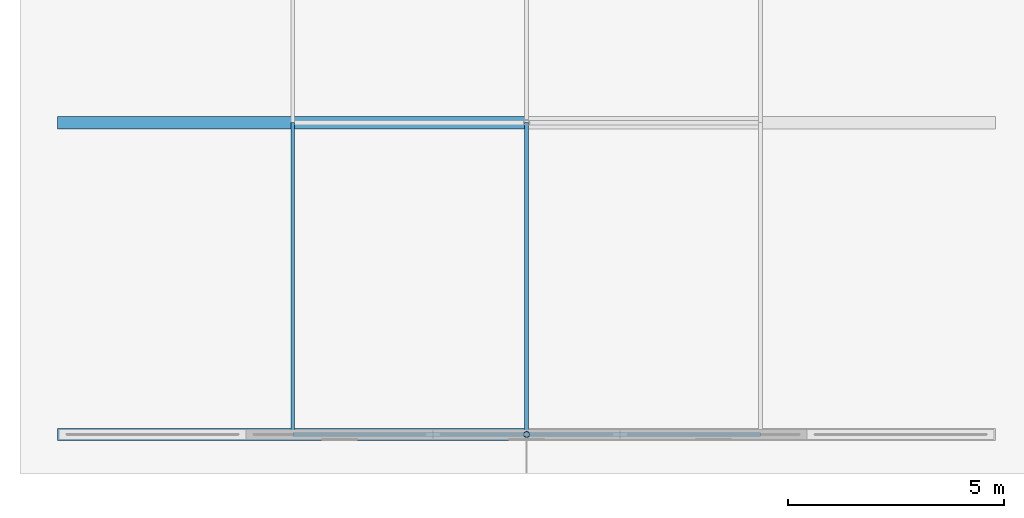
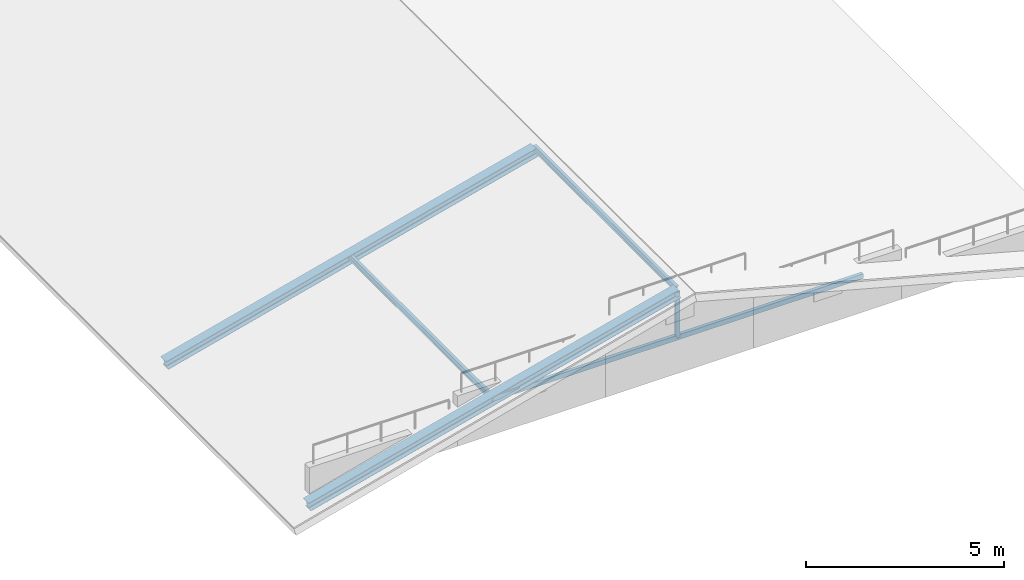
# One storey, part 1 of 8: 6 members.
"""IFC4 building model written with IfcOpenShell, lengths in metres."""

from ifc_helpers import new_model, si_unit, direction, frame, origin, origin_2d, place, context, subcontext, project, spatial, hollow_rectangle, hollow_circle, i_section, extrude, material, material_profile, profile_set, type_object, element, save


model = new_model("IFC4")

# Units and contexts
model_context = context("Model", 3, precision=1e-05, world=origin(), true_north=direction((0.0, 1.0)))
body_context = subcontext(model_context, "Body", "Model", "MODEL_VIEW")
ifc_project = project(units=[si_unit("LENGTHUNIT", "METRE"), si_unit("AREAUNIT", "SQUARE_METRE"), si_unit("VOLUMEUNIT", "CUBIC_METRE"), si_unit("PLANEANGLEUNIT", "RADIAN"), si_unit("MASSUNIT", "GRAM", prefix="KILO"), si_unit("THERMODYNAMICTEMPERATUREUNIT", "KELVIN"), si_unit("POWERUNIT", "WATT")], contexts=[model_context])

# Site, building, storey
site_placement = place(None, origin())
site = spatial("IfcSite", under=ifc_project, at=site_placement, CompositionType="ELEMENT")
building_placement = place(site_placement, origin())
building = spatial("IfcBuilding", under=site, at=building_placement, Name="Tavuni Mirador Residences", CompositionType="ELEMENT")
storey_placement = place(building_placement, frame((0.0, 0.0, 51.75)))
storey = spatial("IfcBuildingStorey", under=building, at=storey_placement, Name="RF", CompositionType="ELEMENT", Elevation=51.75)

# Members
ifc_material = material(Name="Structural steel S355", Category="steel")
ifc_material_profile_1 = material_profile(ifc_material, hollow_circle(Radius=0.06982421875, WallThickness=0.008056640625, at=origin_2d()), Name="CHS 139.7x8.0", Category="steel")
ifc_profile_set_1 = profile_set([ifc_material_profile_1], Name="Structural steel S355")
member_type_1 = type_object("IfcMemberType", Name="MT-BR-CHS139", PredefinedType="BRACE", material=ifc_profile_set_1)
member_1_placement = place(storey_placement, frame((14.39990234375, 7.199951171875, 1.050048828125), z_axis=(0.0, 0.0, 1.0), x_axis=(1.0, 0.0, 0.0)))
element("IfcMember", 1, at=member_1_placement, inside=storey, type_object=member_type_1, Name="RKP-BLK-A-00", PredefinedType="BRACE", context=body_context, shape_type="SweptSolid", body=[
    extrude(hollow_circle(Radius=0.06982421875, WallThickness=0.008056640625, at=origin_2d()), origin(), (0.0, 0.0, 1.0), 1.39990234375),
])
ifc_material_profile_2 = material_profile(ifc_material, hollow_rectangle(XDim=0.10009765625, YDim=0.14990234375, WallThickness=0.008056640625, at=origin_2d()), Name="RHS 150x100x8.0", Category="steel")
ifc_profile_set_2 = profile_set([ifc_material_profile_2], Name="Structural steel S355")
member_type_2 = type_object("IfcMemberType", Name="MT-BR-RHS150", PredefinedType="BRACE", material=ifc_profile_set_2)
member_2_placement = place(storey_placement, frame((9.0, 7.199951171875, 1.050048828125), z_axis=(1.0, 0.0, 0.0), x_axis=(0.0, 1.0, 0.0)))
element("IfcMember", 2, at=member_2_placement, inside=storey, type_object=member_type_2, Name="RTIE-BLK-A-00", PredefinedType="BRACE", context=body_context, shape_type="SweptSolid", body=[
    extrude(hollow_rectangle(XDim=0.10009765625, YDim=0.14990234375, WallThickness=0.008056640625, at=origin_2d()), origin(), (0.0, 0.0, 1.0), 10.800048828125),
])
ifc_material_profile_3 = material_profile(ifc_material, i_section(OverallWidth=0.280029296875, OverallDepth=0.27001953125, WebThickness=0.008056640625, FlangeThickness=0.012939453125, FilletRadius=0.02392578125, at=origin_2d()), Name="HEA 280", Category="steel")
ifc_profile_set_3 = profile_set([ifc_material_profile_3], Name="Structural steel S355")
member_type_3 = type_object("IfcMemberType", Name="MT-CH-HEA280", PredefinedType="CHORD", material=ifc_profile_set_3)
for number, where, z_axis, x_axis, name in (
    (3, (3.60009765625, 7.199951171875, -0.35009765625), (0.96799473238, 0.0, 0.250970512381), (0.0, 1.0, 0.0), "RAF-BLK-A-00-W"),
    (4, (3.60009765625, 14.39990234375, -0.35009765625), (0.96799473238, 0.0, 0.250970512381), (0.0, 1.0, 0.0), "RAF-BLK-A-01-W"),
):
    element("IfcMember", number, at=place(storey_placement, frame(where, z_axis=z_axis, x_axis=x_axis)), inside=storey, type_object=member_type_3, Name=name, PredefinedType="CHORD", context=body_context, shape_type="SweptSolid", body=[
        extrude(i_section(OverallWidth=0.280029296875, OverallDepth=0.27001953125, WebThickness=0.008056640625, FlangeThickness=0.012939453125, FilletRadius=0.02392578125, at=origin_2d()), origin(), (0.0, 0.0, 1.0), 11.156982421875),
    ])
ifc_material_profile_4 = material_profile(ifc_material, i_section(OverallWidth=0.091064453125, OverallDepth=0.179931640625, WebThickness=0.00537109375, FlangeThickness=0.008056640625, FilletRadius=0.009033203125, at=origin_2d()), Name="IPE 180", Category="steel")
ifc_profile_set_4 = profile_set([ifc_material_profile_4], Name="Structural steel S355")
member_type_4 = type_object("IfcMemberType", Name="MT-PR-IPE180", PredefinedType="PURLIN", material=ifc_profile_set_4)
for number, where, z_axis, x_axis, name in (
    (5, (9.0, 7.199951171875, 1.06005859375), (0.0, 1.0, 0.0), (-1.0, 0.0, 0.0), "RPUR-BLK-A-25-00"),
    (6, (14.39990234375, 7.199951171875, 2.510009765625), (0.0, 1.0, 0.0), (-1.0, 0.0, 0.0), "RPUR-BLK-A-50-00"),
):
    element("IfcMember", number, at=place(storey_placement, frame(where, z_axis=z_axis, x_axis=x_axis)), inside=storey, type_object=member_type_4, Name=name, PredefinedType="PURLIN", context=body_context, shape_type="SweptSolid", body=[
        extrude(i_section(OverallWidth=0.091064453125, OverallDepth=0.179931640625, WebThickness=0.00537109375, FlangeThickness=0.008056640625, FilletRadius=0.009033203125, at=origin_2d()), origin(), (0.0, 0.0, 1.0), 7.199951171875),
    ])

save(model, "model.ifc")
